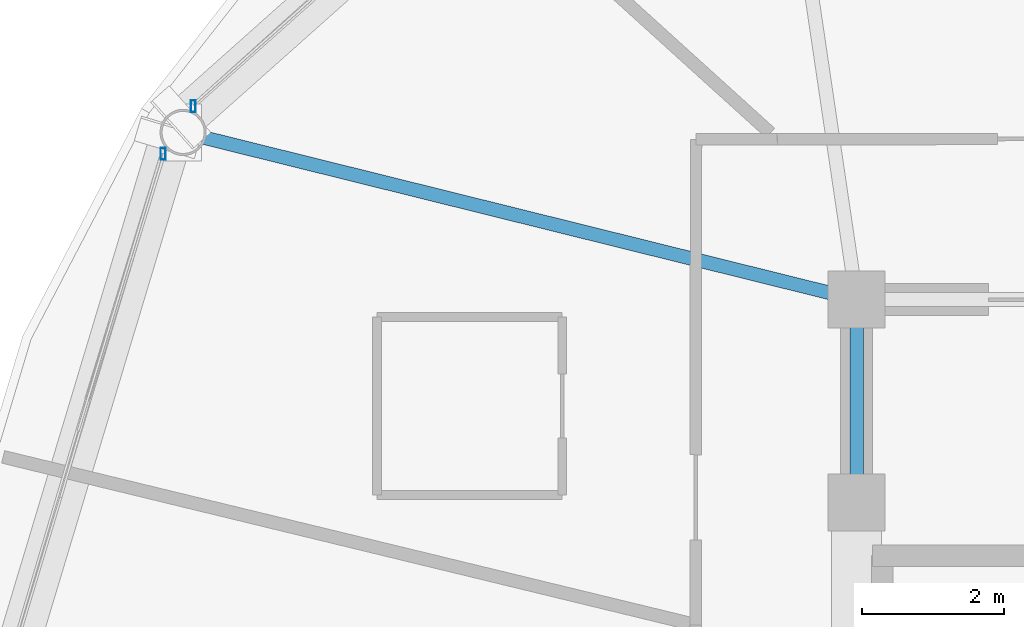
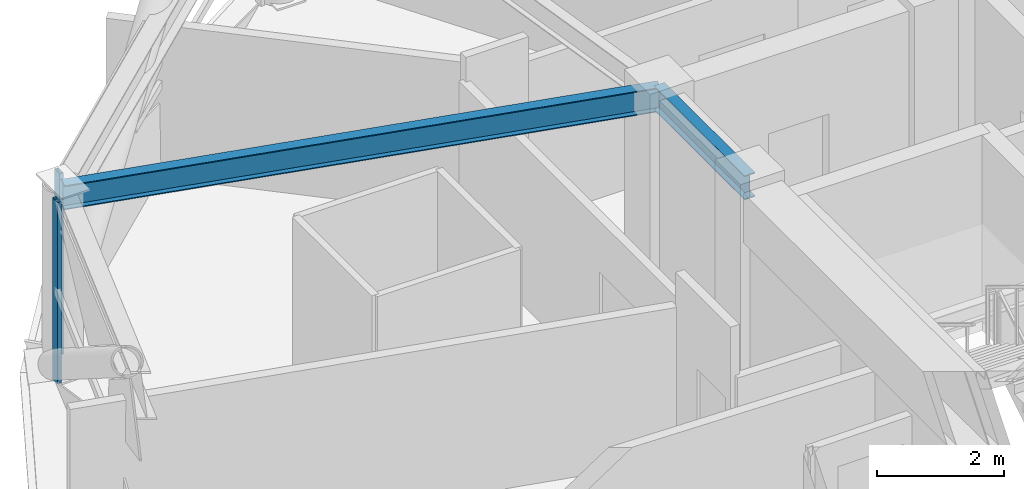
# One storey, part 9 of 29: 2 beams, 2 members, 2 elements without a shape of their own.
"""IFC4 building model written with IfcOpenShell, lengths in metres."""

from ifc_helpers import new_model, si_unit, direction, frame, origin, origin_2d, place, context, subcontext, project, spatial, hollow_rectangle, i_section, extrude, material, layer, layer_set, material_profile, profile_set, type_object, element, aggregate, save


model = new_model("IFC4")

# Units and contexts
model_context = context("Model", 3, precision=1e-05, world=origin(), true_north=direction((0.0, 1.0)))
body_context = subcontext(model_context, "Body", "Model", "MODEL_VIEW")
ifc_project = project(units=[si_unit("LENGTHUNIT", "METRE"), si_unit("AREAUNIT", "SQUARE_METRE"), si_unit("VOLUMEUNIT", "CUBIC_METRE"), si_unit("PLANEANGLEUNIT", "RADIAN"), si_unit("MASSUNIT", "GRAM", prefix="KILO")], contexts=[model_context])

# Site, building, storey
site_placement = place(None, origin())
site = spatial("IfcSite", under=ifc_project, at=site_placement, CompositionType="ELEMENT")
building_placement = place(site_placement, origin())
building = spatial("IfcBuilding", under=site, at=building_placement, Name="Vantalir Tower", CompositionType="ELEMENT")
storey_placement = place(building_placement, frame((0.0, 0.0, 219.89990234375)))
storey = spatial("IfcBuildingStorey", under=building, at=storey_placement, Name="L55", CompositionType="ELEMENT", Elevation=219.89990234375)

# Beams
ifc_material_1 = material(Name="Steel S355", Category="steel")
ifc_material_profile_1 = material_profile(ifc_material_1, i_section(OverallWidth=0.19189453125, OverallDepth=0.462890625, WebThickness=0.010498046875, FlangeThickness=0.017578125, at=origin_2d()), Name="Steel S355")
ifc_profile_set_1 = profile_set([ifc_material_profile_1], Name="Steel S355")
beam_type = type_object("IfcBeamType", Name="BM-RB-457x191", PredefinedType="BEAM", material=ifc_profile_set_1)
beam_1_placement = place(storey_placement, frame((21.89990234375, 32.449951171875, 3.338134765625), z_axis=(0.0, -1.0, 0.0), x_axis=(1.0, 0.0, 0.0)))
element("IfcBeam", 1, at=beam_1_placement, inside=storey, type_object=beam_type, Name="L55 Core Coupling Girder 12", PredefinedType="BEAM", context=body_context, shape_type="SweptSolid", body=[
    extrude(i_section(OverallWidth=0.19189453125, OverallDepth=0.462890625, WebThickness=0.010498046875, FlangeThickness=0.017578125, at=origin_2d()), origin(), (0.0, 0.0, 1.0), 2.849853515625),
])
beam_2_placement = place(storey_placement, frame((12.43603515625, 34.798095703125, 3.338134765625), z_axis=(0.970571038556, -0.240814989393, 0.0), x_axis=(0.240814989393, 0.970571038556, 0.0)))
element("IfcBeam", 2, at=beam_2_placement, inside=storey, type_object=beam_type, Name="L55 Radial Floor Beam 06", PredefinedType="BEAM", context=body_context, shape_type="SweptSolid", body=[
    extrude(i_section(OverallWidth=0.19189453125, OverallDepth=0.462890625, WebThickness=0.010498046875, FlangeThickness=0.017578125, at=origin_2d()), origin(), (0.0, 0.0, 1.0), 9.750732421875),
])

# Curtain wall, member
ifc_material_2 = material(Name="Champagne-silver PVDF aluminium and double-silver Low-E glass", Category="aluminium")
ifc_layer = layer(ifc_material_2, 0.2099609375)
ifc_layer_set = layer_set([ifc_layer], Name="Champagne-silver PVDF aluminium and double-silver Low-E glass")
curtain_wall_type = type_object("IfcCurtainWallType", Name="CW-DIAMOND-Z3", PredefinedType="USERDEFINED", material=ifc_layer_set)
curtain_wall_1_placement = place(storey_placement, origin())
curtain_wall_1 = element("IfcCurtainWall", 3, at=curtain_wall_1_placement, inside=storey, type_object=curtain_wall_type, Name="L55 Quilted Pyramid-Diamond Curtain Wall S05", ObjectType="UNITISED CURTAIN WALL", PredefinedType="USERDEFINED")
ifc_material_3 = material(Name="Champagne-silver PVDF aluminium 6063-T6", Category="aluminium")
ifc_material_profile_2 = material_profile(ifc_material_3, hollow_rectangle(XDim=0.070068359375, YDim=0.1650390625, WallThickness=0.00390625, at=origin_2d()), Name="Champagne-silver PVDF aluminium 6063-T6")
ifc_profile_set_2 = profile_set([ifc_material_profile_2], Name="Champagne-silver PVDF aluminium 6063-T6")
member_type = type_object("IfcMemberType", Name="CWM-165x70", PredefinedType="MULLION", material=ifc_profile_set_2)
member_1_placement = place(storey_placement, frame((12.577880859375, 35.166015625, 0.045166015625), z_axis=(0.0, 0.0, 1.0), x_axis=(1.0, 0.0, 0.0)))
member_1 = element("IfcMember", 4, at=member_1_placement, type_object=member_type, Name="CW-L55-S05 Mullion 2", PredefinedType="MULLION", context=body_context, shape_type="SweptSolid", body=[
    extrude(hollow_rectangle(XDim=0.070068359375, YDim=0.1650390625, WallThickness=0.00390625, at=origin_2d()), origin(), (0.0, 0.0, 1.0), 3.47998046875),
])
aggregate(curtain_wall_1, [member_1])

curtain_wall_2_placement = place(storey_placement, origin())
curtain_wall_2 = element("IfcCurtainWall", 5, at=curtain_wall_2_placement, inside=storey, type_object=curtain_wall_type, Name="L55 Quilted Pyramid-Diamond Curtain Wall S06", ObjectType="UNITISED CURTAIN WALL", PredefinedType="USERDEFINED")
member_2_placement = place(storey_placement, frame((12.154052734375, 34.5, 0.045166015625), z_axis=(0.0, 0.0, 1.0), x_axis=(1.0, 0.0, 0.0)))
member_2 = element("IfcMember", 6, at=member_2_placement, type_object=member_type, Name="CW-L55-S06 Mullion 1", PredefinedType="MULLION", context=body_context, shape_type="SweptSolid", body=[
    extrude(hollow_rectangle(XDim=0.070068359375, YDim=0.1650390625, WallThickness=0.00390625, at=origin_2d()), origin(), (0.0, 0.0, 1.0), 3.47998046875),
])
aggregate(curtain_wall_2, [member_2])

save(model, "model.ifc")
